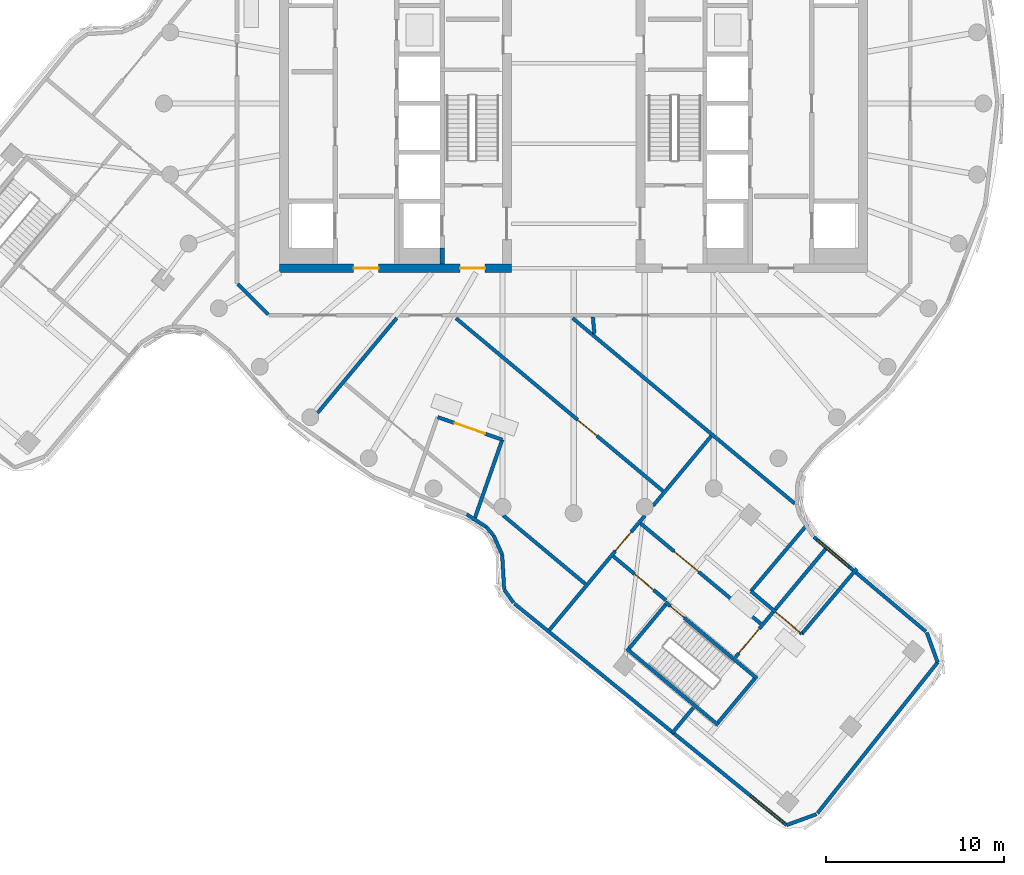
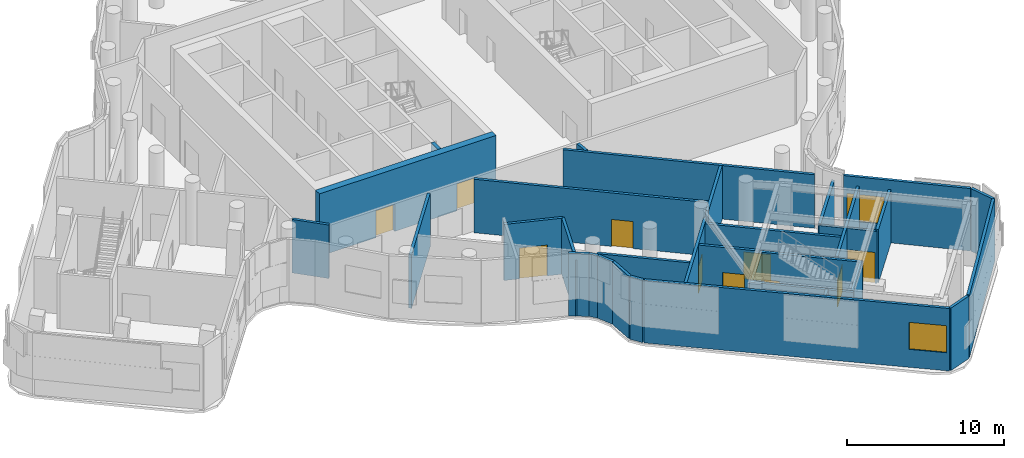
# One storey, part 7 of 19: 33 walls, 10 doors, 2 windows, 12 openings.
"""IFC4 building model written with IfcOpenShell, lengths in metres."""

from ifc_helpers import new_model, si_unit, direction, frame, frame_2d, origin, place, context, subcontext, project, spatial, polyline, rectangle, outline, extrude, material, layer, layer_set, type_object, element, fill, save


model = new_model("IFC4")

# Units and contexts
model_context = context("Model", 3, precision=1e-05, world=origin(), true_north=direction((0.0, 1.0)))
body_context = subcontext(model_context, "Body", "Model", "MODEL_VIEW")
ifc_project = project(units=[si_unit("LENGTHUNIT", "METRE"), si_unit("AREAUNIT", "SQUARE_METRE"), si_unit("VOLUMEUNIT", "CUBIC_METRE"), si_unit("PLANEANGLEUNIT", "RADIAN"), si_unit("MASSUNIT", "GRAM", prefix="KILO")], contexts=[model_context])

# Site, building, storey
site_placement = place(None, origin())
site = spatial("IfcSite", under=ifc_project, at=site_placement, CompositionType="ELEMENT")
building_placement = place(site_placement, origin())
building = spatial("IfcBuilding", under=site, at=building_placement, Name="Tamarind Cross Interchange Tower", CompositionType="ELEMENT")
storey_placement = place(building_placement, frame((0.0, 0.0, 214.89990234375)))
storey = spatial("IfcBuildingStorey", under=building, at=storey_placement, Name="L54", CompositionType="ELEMENT", Elevation=214.89990234375)

# Wall, opening, door
ifc_material_1 = material(Name="Concrete C40", Category="concrete")
ifc_layer_1 = layer(ifc_material_1, 0.199951171875)
ifc_layer_set_1 = layer_set([ifc_layer_1], Name="Concrete C40")
wall_type_1 = type_object("IfcWallType", Name="Balcony and garden door wall", PredefinedType="SOLIDWALL", material=ifc_layer_set_1)
wall_1_placement = place(storey_placement, frame((12.80322265625, -29.782470703125, 0.0), z_axis=(0.0, 0.0, 1.0), x_axis=(-0.764169256324, 0.645015773209, 0.0)))
wall_1 = element("IfcWall", 1, at=wall_1_placement, inside=storey, type_object=wall_type_1, Name="EXW-L54-WG-L54-SNa", PredefinedType="SOLIDWALL", context=body_context, shape_type="SweptSolid", body=[
    extrude(rectangle(XDim=3.722900390625, YDim=0.199951171875, at=frame_2d((1.861328125, 0.0))), origin(), (0.0, 0.0, 1.0), 4.050048828125),
])
opening_1_placement = place(wall_1_placement, frame((0.114990234375, 0.0, 0.0)))
opening_1 = element("IfcOpeningElement", 2, at=opening_1_placement, cuts=wall_1, Name="Opening D5", PredefinedType="OPENING", context=body_context, shape_type="SweptSolid", body=[
    extrude(rectangle(XDim=1.800048828125, YDim=2.39990234375, at=frame_2d((0.89990234375, 1.199951171875))), frame((0.0, 0.10986328125, 0.0), z_axis=(0.0, -1.0, 0.0), x_axis=(1.0, 0.0, 0.0)), (0.0, 0.0, 1.0), 0.219970703125),
])
ifc_material_2 = material(Name="Aluminium and toughened glass", Category="aluminium")
door_type_1 = type_object("IfcDoorType", Name="Roof garden door", OperationType="DOUBLE_DOOR_SINGLE_SWING", PredefinedType="DOOR", material=ifc_material_2)
door_1_placement = place(opening_1_placement, origin())
door_1 = element("IfcDoor", 3, at=door_1_placement, inside=storey, type_object=door_type_1, Name="DOR-L54-WG-L54-SNa", OperationType="SINGLE_SWING_LEFT", OverallHeight=2.39990234375, OverallWidth=1.800048828125, PredefinedType="DOOR", context=body_context, shape_type="SweptSolid", body=[
    extrude(rectangle(XDim=1.800048828125, YDim=2.39990234375, at=frame_2d((0.89990234375, 1.199951171875))), frame((0.0, 0.02490234375, 0.0), z_axis=(0.0, -1.0, 0.0), x_axis=(1.0, 0.0, 0.0)), (0.0, 0.0, 1.0), 0.050048828125),
])
fill(opening_1, door_1)

# Walls
wall_2_placement = place(storey_placement, frame((12.80322265625, -29.7822265625, 0.0), z_axis=(0.0, 0.0, 1.0), x_axis=(0.645004631952, 0.764178660236, 0.0)))
element("IfcWall", 4, at=wall_2_placement, inside=storey, type_object=wall_type_1, Name="EXW-L54-WG-L54-SNa-R0", PredefinedType="SOLIDWALL", context=body_context, shape_type="SweptSolid", body=[
    extrude(rectangle(XDim=4.7998046875, YDim=0.199951171875, at=frame_2d((2.39990234375, 0.0))), origin(), (0.0, 0.0, 1.0), 4.150146484375),
])
wall_3_placement = place(storey_placement, frame((9.95849609375, -27.38134765625, 0.0), z_axis=(0.0, 0.0, 1.0), x_axis=(0.644947890553, 0.76422654918, 0.0)))
element("IfcWall", 5, at=wall_3_placement, inside=storey, type_object=wall_type_1, Name="EXW-L54-WG-L54-SNa-R1", PredefinedType="SOLIDWALL", context=body_context, shape_type="SweptSolid", body=[
    extrude(rectangle(XDim=4.922607421875, YDim=0.199951171875, at=frame_2d((2.46142578125, 0.0))), origin(), (0.0, 0.0, 1.0), 4.150146484375),
])

# Wall, opening, door
wall_4_placement = place(storey_placement, frame((-7.633544921875, -17.6083984375, 0.0), z_axis=(0.0, 0.0, 1.0), x_axis=(0.943849439762, -0.330375899638, 0.0)))
wall_4 = element("IfcWall", 6, at=wall_4_placement, inside=storey, type_object=wall_type_1, Name="EXW-L54-WG-L54-WS", PredefinedType="SOLIDWALL", context=body_context, shape_type="SweptSolid", body=[
    extrude(rectangle(XDim=3.842041015625, YDim=0.199951171875, at=frame_2d((1.9208984375, 0.0))), origin(), (0.0, 0.0, 1.0), 4.364013671875),
])
opening_2_placement = place(wall_4_placement, frame((1.02099609375, 0.0, 0.0)))
opening_2 = element("IfcOpeningElement", 7, at=opening_2_placement, cuts=wall_4, Name="Opening D5", PredefinedType="OPENING", context=body_context, shape_type="SweptSolid", body=[
    extrude(rectangle(XDim=1.800048828125, YDim=2.39990234375, at=frame_2d((0.89990234375, 1.199951171875))), frame((0.0, 0.10986328125, 0.0), z_axis=(0.0, -1.0, 0.0), x_axis=(1.0, 0.0, 0.0)), (0.0, 0.0, 1.0), 0.219970703125),
])
door_2_placement = place(opening_2_placement, origin())
door_2 = element("IfcDoor", 8, at=door_2_placement, inside=storey, type_object=door_type_1, Name="DOR-L54-WG-L54-WS", OperationType="SINGLE_SWING_LEFT", OverallHeight=2.39990234375, OverallWidth=1.800048828125, PredefinedType="DOOR", context=body_context, shape_type="SweptSolid", body=[
    extrude(rectangle(XDim=1.800048828125, YDim=2.39990234375, at=frame_2d((0.89990234375, 1.199951171875))), frame((0.0, 0.02490234375, 0.0), z_axis=(0.0, -1.0, 0.0), x_axis=(1.0, 0.0, 0.0)), (0.0, 0.0, 1.0), 0.050048828125),
])
fill(opening_2, door_2)

# Wall
wall_5_placement = place(storey_placement, frame((-4.00732421875, -18.877685546875, 0.0), z_axis=(0.0, 0.0, 1.0), x_axis=(-0.330357165554, -0.94385599705, 0.0)))
element("IfcWall", 9, at=wall_5_placement, inside=storey, type_object=wall_type_1, Name="EXW-L54-WG-L54-WS-R1", PredefinedType="SOLIDWALL", context=body_context, shape_type="SweptSolid", body=[
    extrude(rectangle(XDim=4.83984375, YDim=0.199951171875, at=frame_2d((2.419921875, 0.0))), origin(), (0.0, 0.0, 1.0), 4.364013671875),
])

# Wall, openings, doors
ifc_material_3 = material(Name="Concrete C55", Category="concrete")
ifc_layer_2 = layer(ifc_material_3, 0.5)
ifc_layer_set_2 = layer_set([ifc_layer_2], Name="Concrete C55")
wall_type_2 = type_object("IfcWallType", Name="Core wall 500 mm Concrete C55", PredefinedType="SHEAR", material=ifc_layer_set_2)
wall_6_placement = place(storey_placement, frame((-16.5, -9.25, 0.0), z_axis=(0.0, 0.0, 1.0), x_axis=(1.0, 0.0, 0.0)))
wall_6 = element("IfcWall", 10, at=wall_6_placement, inside=storey, type_object=wall_type_2, Name="Core wall CWL-L54-W-S", PredefinedType="SHEAR", context=body_context, shape_type="SweptSolid", body=[
    extrude(rectangle(XDim=13.0, YDim=0.5, at=frame_2d((6.5, 0.0))), origin(), (0.0, 0.0, 1.0), 4.860107421875),
])
opening_3_placement = place(wall_6_placement, frame((4.14990234375, 0.0, 0.0)))
opening_3 = element("IfcOpeningElement", 11, at=opening_3_placement, cuts=wall_6, Name="Opening DCW1", PredefinedType="OPENING", context=body_context, shape_type="SweptSolid", body=[
    extrude(rectangle(XDim=1.39990234375, YDim=2.10009765625, at=frame_2d((0.699951171875, 1.050048828125))), frame((0.0, 0.260009765625, 0.0), z_axis=(0.0, -1.0, 0.0), x_axis=(1.0, 0.0, 0.0)), (0.0, 0.0, 1.0), 0.52001953125),
])
opening_4_placement = place(wall_6_placement, frame((10.125, 0.0, 0.0)))
opening_4 = element("IfcOpeningElement", 12, at=opening_4_placement, cuts=wall_6, Name="Opening DCWF", PredefinedType="OPENING", context=body_context, shape_type="SweptSolid", body=[
    extrude(rectangle(XDim=1.39990234375, YDim=2.10009765625, at=frame_2d((0.699951171875, 1.050048828125))), frame((0.0, 0.260009765625, 0.0), z_axis=(0.0, -1.0, 0.0), x_axis=(1.0, 0.0, 0.0)), (0.0, 0.0, 1.0), 0.52001953125),
])
ifc_material_4 = material(Name="Steel, fire-resisting", Category="steel")
door_type_2 = type_object("IfcDoorType", Name="Core fire door 1400 x 2100 FD90", OperationType="SINGLE_SWING_LEFT", PredefinedType="DOOR", material=ifc_material_4)
door_3_placement = place(opening_3_placement, origin())
door_3 = element("IfcDoor", 13, at=door_3_placement, inside=storey, type_object=door_type_2, Name="L54 lift lobby door", OperationType="SINGLE_SWING_LEFT", OverallHeight=2.10009765625, OverallWidth=1.39990234375, PredefinedType="DOOR", context=body_context, shape_type="SweptSolid", body=[
    extrude(rectangle(XDim=1.39990234375, YDim=2.10009765625, at=frame_2d((0.699951171875, 1.050048828125))), frame((0.0, 0.02490234375, 0.0), z_axis=(0.0, -1.0, 0.0), x_axis=(1.0, 0.0, 0.0)), (0.0, 0.0, 1.0), 0.050048828125),
])
fill(opening_3, door_3)
door_4_placement = place(opening_4_placement, origin())
door_4 = element("IfcDoor", 14, at=door_4_placement, inside=storey, type_object=door_type_2, Name="L54 firefighting lobby end door", OperationType="SINGLE_SWING_LEFT", OverallHeight=2.10009765625, OverallWidth=1.39990234375, PredefinedType="DOOR", context=body_context, shape_type="SweptSolid", body=[
    extrude(rectangle(XDim=1.39990234375, YDim=2.10009765625, at=frame_2d((0.699951171875, 1.050048828125))), frame((0.0, 0.02490234375, 0.0), z_axis=(0.0, -1.0, 0.0), x_axis=(1.0, 0.0, 0.0)), (0.0, 0.0, 1.0), 0.050048828125),
])
fill(opening_4, door_4)

# Walls
ifc_layer_3 = layer(ifc_material_3, 0.25)
ifc_layer_set_3 = layer_set([ifc_layer_3], Name="Concrete C55")
wall_type_3 = type_object("IfcWallType", Name="Core web wall 250 mm Concrete C55", PredefinedType="SHEAR", material=ifc_layer_set_3)
wall_7_placement = place(storey_placement, frame((-7.375, -9.0, 0.0), z_axis=(0.0, 0.0, 1.0), x_axis=(0.0, 1.0, 0.0)))
element("IfcWall", 15, at=wall_7_placement, inside=storey, type_object=wall_type_3, Name="Core wall CWL-L54-W-BW", PredefinedType="SHEAR", context=body_context, shape_type="SweptSolid", body=[
    extrude(rectangle(XDim=0.875, YDim=0.25, at=frame_2d((0.4375, 0.0))), origin(), (0.0, 0.0, 1.0), 4.860107421875),
])
ifc_material_5 = material(Name="Gypsum board partition on steel studs", Category="steel")
ifc_layer_4 = layer(ifc_material_5, 0.199951171875)
ifc_layer_set_4 = layer_set([ifc_layer_4], Name="Gypsum board partition on steel studs")
wall_type_4 = type_object("IfcWallType", Name="Partition 200 mm EI 180", PredefinedType="PARTITIONING", material=ifc_layer_set_4)
wall_8_placement = place(storey_placement, frame((1.0810546875, -11.989501953125, 0.0), z_axis=(0.0, 0.0, 1.0), x_axis=(0.089106826203, -0.996022074818, 0.0)))
element("IfcWall", 16, at=wall_8_placement, inside=storey, type_object=wall_type_4, Name="Partition L54-001", PredefinedType="PARTITIONING", context=body_context, shape_type="SweptSolid", body=[
    extrude(rectangle(XDim=0.939697265625, YDim=0.199951171875, at=frame_2d((0.4697265625, 0.0))), origin(), (0.0, 0.0, 1.0), 4.16015625),
])
wall_9_placement = place(storey_placement, frame((-18.857666015625, -10.142333984375, 0.0), z_axis=(0.0, 0.0, 1.0), x_axis=(0.707106781187, -0.707106781187, 0.0)))
element("IfcWall", 17, at=wall_9_placement, inside=storey, type_object=wall_type_4, Name="Partition L54-002", PredefinedType="PARTITIONING", context=body_context, shape_type="SweptSolid", body=[
    extrude(rectangle(XDim=2.42578125, YDim=0.199951171875, at=frame_2d((1.212890625, 0.0))), origin(), (0.0, 0.0, 1.0), 4.16015625),
])
wall_10_placement = place(storey_placement, frame((-3.956787109375, -23.125732421875, 0.0), z_axis=(0.0, 0.0, 1.0), x_axis=(0.76774384471, -0.640756887524, 0.0)))
element("IfcWall", 18, at=wall_10_placement, inside=storey, type_object=wall_type_4, Name="Partition L54-010", PredefinedType="PARTITIONING", context=body_context, shape_type="SweptSolid", body=[
    extrude(rectangle(XDim=5.99658203125, YDim=0.199951171875, at=frame_2d((2.998291015625, 0.0))), origin(), (0.0, 0.0, 1.0), 4.16015625),
])

# Wall, opening, door
wall_11_placement = place(storey_placement, frame((-6.60693359375, -12.056884765625, 0.0), z_axis=(0.0, 0.0, 1.0), x_axis=(0.767718234812, -0.640787571615, 0.0)))
wall_11 = element("IfcWall", 19, at=wall_11_placement, inside=storey, type_object=wall_type_4, Name="Partition L54-015", PredefinedType="PARTITIONING", context=body_context, shape_type="SweptSolid", body=[
    extrude(rectangle(XDim=15.123779296875, YDim=0.199951171875, at=frame_2d((7.56201171875, 0.0))), origin(), (0.0, 0.0, 1.0), 4.16015625),
])
opening_5_placement = place(wall_11_placement, frame((8.905029296875, 0.0, 0.0)))
opening_5 = element("IfcOpeningElement", 20, at=opening_5_placement, cuts=wall_11, Name="Opening D08", PredefinedType="OPENING", context=body_context, shape_type="SweptSolid", body=[
    extrude(rectangle(XDim=1.39990234375, YDim=2.10009765625, at=frame_2d((0.699951171875, 1.050048828125))), frame((0.0, 0.10986328125, 0.0), z_axis=(0.0, -1.0, 0.0), x_axis=(1.0, 0.0, 0.0)), (0.0, 0.0, 1.0), 0.219970703125),
])
ifc_material_6 = material(Name="Fire-resisting door set")
door_type_3 = type_object("IfcDoorType", Name="Interior door 1400 x 2100 FD120S", OperationType="DOUBLE_DOOR_SINGLE_SWING", PredefinedType="DOOR", material=ifc_material_6)
door_5_placement = place(opening_5_placement, origin())
door_5 = element("IfcDoor", 21, at=door_5_placement, inside=storey, type_object=door_type_3, Name="Door D08", OperationType="DOUBLE_DOOR_SINGLE_SWING", OverallHeight=2.10009765625, OverallWidth=1.39990234375, PredefinedType="DOOR", context=body_context, shape_type="SweptSolid", body=[
    extrude(rectangle(XDim=1.39990234375, YDim=2.10009765625, at=frame_2d((0.699951171875, 1.050048828125))), frame((0.0, 0.02490234375, 0.0), z_axis=(0.0, -1.0, 0.0), x_axis=(1.0, 0.0, 0.0)), (0.0, 0.0, 1.0), 0.050048828125),
])
fill(opening_5, door_5)

# Wall
wall_12_placement = place(storey_placement, frame((-0.052001953125, -12.056884765625, 0.0), z_axis=(0.0, 0.0, 1.0), x_axis=(0.767705248062, -0.64080313053, 0.0)))
element("IfcWall", 22, at=wall_12_placement, inside=storey, type_object=wall_type_4, Name="Partition L54-020", PredefinedType="PARTITIONING", context=body_context, shape_type="SweptSolid", body=[
    extrude(rectangle(XDim=16.256591796875, YDim=0.199951171875, at=frame_2d((8.12841796875, 0.0))), origin(), (0.0, 0.0, 1.0), 4.16015625),
])

# Wall, opening, door
wall_13_placement = place(storey_placement, frame((2.224853515625, -25.420166015625, 0.0), z_axis=(0.0, 0.0, 1.0), x_axis=(0.767749314301, -0.640750333898, 0.0)))
wall_13 = element("IfcWall", 23, at=wall_13_placement, inside=storey, type_object=wall_type_4, Name="Partition L54-021", PredefinedType="PARTITIONING", context=body_context, shape_type="SweptSolid", body=[
    extrude(rectangle(XDim=3.860107421875, YDim=0.199951171875, at=frame_2d((1.93017578125, 0.0))), origin(), (0.0, 0.0, 1.0), 4.050048828125),
])
opening_6_placement = place(wall_13_placement, frame((1.550048828125, 0.0, 0.0)))
opening_6 = element("IfcOpeningElement", 24, at=opening_6_placement, cuts=wall_13, Name="Opening D13", PredefinedType="OPENING", context=body_context, shape_type="SweptSolid", body=[
    extrude(rectangle(XDim=1.39990234375, YDim=2.10009765625, at=frame_2d((0.699951171875, 1.050048828125))), frame((0.0, 0.10986328125, 0.0), z_axis=(0.0, -1.0, 0.0), x_axis=(1.0, 0.0, 0.0)), (0.0, 0.0, 1.0), 0.219970703125),
])
door_6_placement = place(opening_6_placement, frame((1.39990234375, 0.0, 0.0), z_axis=(0.0, 0.0, 1.0), x_axis=(-1.0, 0.0, 0.0)))
door_6 = element("IfcDoor", 25, at=door_6_placement, inside=storey, type_object=door_type_3, Name="Door D13", OperationType="DOUBLE_DOOR_SINGLE_SWING", OverallHeight=2.10009765625, OverallWidth=1.39990234375, PredefinedType="DOOR", context=body_context, shape_type="SweptSolid", body=[
    extrude(rectangle(XDim=1.39990234375, YDim=2.10009765625, at=frame_2d((0.699951171875, 1.050048828125))), frame((0.0, 0.02490234375, 0.0), z_axis=(0.0, -1.0, 0.0), x_axis=(1.0, 0.0, 0.0)), (0.0, 0.0, 1.0), 0.050048828125),
])
fill(opening_6, door_6)

wall_14_placement = place(storey_placement, frame((3.7626953125, -23.578125, 0.0), z_axis=(0.0, 0.0, 1.0), x_axis=(0.767756138221, -0.640742157365, 0.0)))
wall_14 = element("IfcWall", 26, at=wall_14_placement, inside=storey, type_object=wall_type_4, Name="Partition L54-022", PredefinedType="PARTITIONING", context=body_context, shape_type="SweptSolid", body=[
    extrude(rectangle(XDim=8.780517578125, YDim=0.199951171875, at=frame_2d((4.39013671875, 0.0))), origin(), (0.0, 0.0, 1.0), 4.050048828125),
])
opening_7_placement = place(wall_14_placement, frame((2.449951171875, 0.0, 0.0)))
opening_7 = element("IfcOpeningElement", 27, at=opening_7_placement, cuts=wall_14, Name="Opening D14", PredefinedType="OPENING", context=body_context, shape_type="SweptSolid", body=[
    extrude(rectangle(XDim=1.800048828125, YDim=2.10009765625, at=frame_2d((0.89990234375, 1.050048828125))), frame((0.0, 0.10986328125, 0.0), z_axis=(0.0, -1.0, 0.0), x_axis=(1.0, 0.0, 0.0)), (0.0, 0.0, 1.0), 0.219970703125),
])
door_type_4 = type_object("IfcDoorType", Name="Interior door 1800 x 2100 FD120S", OperationType="DOUBLE_DOOR_SINGLE_SWING", PredefinedType="DOOR", material=ifc_material_6)
door_7_placement = place(opening_7_placement, origin())
door_7 = element("IfcDoor", 28, at=door_7_placement, inside=storey, type_object=door_type_4, Name="Door D14", OperationType="DOUBLE_DOOR_SINGLE_SWING", OverallHeight=2.10009765625, OverallWidth=1.800048828125, PredefinedType="DOOR", context=body_context, shape_type="SweptSolid", body=[
    extrude(rectangle(XDim=1.800048828125, YDim=2.10009765625, at=frame_2d((0.89990234375, 1.050048828125))), frame((0.0, 0.02490234375, 0.0), z_axis=(0.0, -1.0, 0.0), x_axis=(1.0, 0.0, 0.0)), (0.0, 0.0, 1.0), 0.050048828125),
])
fill(opening_7, door_7)

# Wall
wall_15_placement = place(storey_placement, frame((-14.370849609375, -17.369873046875, 0.0), z_axis=(0.0, 0.0, 1.0), x_axis=(0.640582551282, 0.76788931168, 0.0)))
element("IfcWall", 29, at=wall_15_placement, inside=storey, type_object=wall_type_4, Name="Partition L54-034", PredefinedType="PARTITIONING", context=body_context, shape_type="SweptSolid", body=[
    extrude(rectangle(XDim=6.9345703125, YDim=0.199951171875, at=frame_2d((3.46728515625, 0.0))), origin(), (0.0, 0.0, 1.0), 4.16015625),
])

# Wall, opening, door
wall_16_placement = place(storey_placement, frame((-1.375244140625, -29.577880859375, 0.0), z_axis=(0.0, 0.0, 1.0), x_axis=(0.6407249457, 0.767770502141, 0.0)))
wall_16 = element("IfcWall", 30, at=wall_16_placement, inside=storey, type_object=wall_type_4, Name="Partition L54-042", PredefinedType="PARTITIONING", context=body_context, shape_type="SweptSolid", body=[
    extrude(rectangle(XDim=8.393798828125, YDim=0.199951171875, at=frame_2d((4.19677734375, 0.0))), origin(), (0.0, 0.0, 1.0), 4.150146484375),
])
opening_8_placement = place(wall_16_placement, frame((5.798828125, 0.0, 0.0)))
opening_8 = element("IfcOpeningElement", 31, at=opening_8_placement, cuts=wall_16, Name="Opening D25", PredefinedType="OPENING", context=body_context, shape_type="SweptSolid", body=[
    extrude(rectangle(XDim=1.39990234375, YDim=2.10009765625, at=frame_2d((0.699951171875, 1.050048828125))), frame((0.0, 0.10986328125, 0.0), z_axis=(0.0, -1.0, 0.0), x_axis=(1.0, 0.0, 0.0)), (0.0, 0.0, 1.0), 0.219970703125),
])
door_8_placement = place(opening_8_placement, origin())
door_8 = element("IfcDoor", 32, at=door_8_placement, inside=storey, type_object=door_type_3, Name="Door D25", OperationType="DOUBLE_DOOR_SINGLE_SWING", OverallHeight=2.10009765625, OverallWidth=1.39990234375, PredefinedType="DOOR", context=body_context, shape_type="SweptSolid", body=[
    extrude(rectangle(XDim=1.39990234375, YDim=2.10009765625, at=frame_2d((0.699951171875, 1.050048828125))), frame((0.0, 0.02490234375, 0.0), z_axis=(0.0, -1.0, 0.0), x_axis=(1.0, 0.0, 0.0)), (0.0, 0.0, 1.0), 0.050048828125),
])
fill(opening_8, door_8)

# Walls
wall_17_placement = place(storey_placement, frame((4.461181640625, -22.583984375, 0.0), z_axis=(0.0, 0.0, 1.0), x_axis=(0.640712685958, 0.767780733057, 0.0)))
element("IfcWall", 33, at=wall_17_placement, inside=storey, type_object=wall_type_4, Name="Partition L54-043", PredefinedType="PARTITIONING", context=body_context, shape_type="SweptSolid", body=[
    extrude(rectangle(XDim=5.089599609375, YDim=0.199951171875, at=frame_2d((2.544921875, 0.0))), origin(), (0.0, 0.0, 1.0), 4.16015625),
])
wall_18_placement = place(storey_placement, frame((5.53466796875, -35.34521484375, 0.0), z_axis=(0.0, 0.0, 1.0), x_axis=(0.640455669919, 0.767995139873, 0.0)))
element("IfcWall", 34, at=wall_18_placement, inside=storey, type_object=wall_type_4, Name="Partition L54-044", PredefinedType="PARTITIONING", context=body_context, shape_type="SweptSolid", body=[
    extrude(rectangle(XDim=1.858642578125, YDim=0.199951171875, at=frame_2d((0.92919921875, 0.0))), origin(), (0.0, 0.0, 1.0), 4.150146484375),
])

# Wall, opening, door
wall_19_placement = place(storey_placement, frame((9.08203125, -31.091064453125, 0.0), z_axis=(0.0, 0.0, 1.0), x_axis=(0.640415410125, 0.768028712012, 0.0)))
wall_19 = element("IfcWall", 35, at=wall_19_placement, inside=storey, type_object=wall_type_4, Name="Partition L54-045", PredefinedType="PARTITIONING", context=body_context, shape_type="SweptSolid", body=[
    extrude(rectangle(XDim=7.8994140625, YDim=0.199951171875, at=frame_2d((3.94970703125, 0.0))), origin(), (0.0, 0.0, 1.0), 4.150146484375),
])
opening_9_placement = place(wall_19_placement, frame((0.300048828125, 0.0, 0.0)))
opening_9 = element("IfcOpeningElement", 36, at=opening_9_placement, cuts=wall_19, Name="Opening D26", PredefinedType="OPENING", context=body_context, shape_type="SweptSolid", body=[
    extrude(rectangle(XDim=1.800048828125, YDim=2.10009765625, at=frame_2d((0.89990234375, 1.050048828125))), frame((0.0, 0.10986328125, 0.0), z_axis=(0.0, -1.0, 0.0), x_axis=(1.0, 0.0, 0.0)), (0.0, 0.0, 1.0), 0.219970703125),
])
door_9_placement = place(opening_9_placement, frame((1.800048828125, 0.0, 0.0), z_axis=(0.0, 0.0, 1.0), x_axis=(-1.0, 0.0, 0.0)))
door_9 = element("IfcDoor", 37, at=door_9_placement, inside=storey, type_object=door_type_4, Name="Door D26", OperationType="DOUBLE_DOOR_SINGLE_SWING", OverallHeight=2.10009765625, OverallWidth=1.800048828125, PredefinedType="DOOR", context=body_context, shape_type="SweptSolid", body=[
    extrude(rectangle(XDim=1.800048828125, YDim=2.10009765625, at=frame_2d((0.89990234375, 1.050048828125))), frame((0.0, 0.02490234375, 0.0), z_axis=(0.0, -1.0, 0.0), x_axis=(1.0, 0.0, 0.0)), (0.0, 0.0, 1.0), 0.050048828125),
])
fill(opening_9, door_9)

# Walls
ifc_material_7 = material(Name="Precast concrete C40", Category="concrete")
ifc_layer_5 = layer(ifc_material_7, 0.199951171875)
ifc_layer_set_5 = layer_set([ifc_layer_5], Name="Precast concrete C40")
wall_type_5 = type_object("IfcWallType", Name="Refuge level external wall", PredefinedType="SOLIDWALL", material=ifc_layer_set_5)
wall_20_placement = place(storey_placement, frame((-6.001220703125, -23.067138671875, 0.0), z_axis=(0.0, 0.0, 1.0), x_axis=(0.839116919662, -0.543951096274, 0.0)))
element("IfcWall", 38, at=wall_20_placement, inside=storey, type_object=wall_type_5, Name="RFW-L54-02-08", PredefinedType="SOLIDWALL", context=body_context, shape_type="SweptSolid", body=[
    extrude(rectangle(XDim=1.31591796875, YDim=0.199951171875, at=frame_2d((0.657958984375, 0.0))), origin(), (0.0, 0.0, 1.0), 4.860107421875),
])
wall_21_placement = place(storey_placement, frame((-4.89697265625, -23.782958984375, 0.0), z_axis=(0.0, 0.0, 1.0), x_axis=(0.651417628254, -0.758719364192, 0.0)))
element("IfcWall", 39, at=wall_21_placement, inside=storey, type_object=wall_type_5, Name="RFW-L54-02-09", PredefinedType="SOLIDWALL", context=body_context, shape_type="SweptSolid", body=[
    extrude(rectangle(XDim=0.60986328125, YDim=0.199951171875, at=frame_2d((0.304931640625, 0.0))), origin(), (0.0, 0.0, 1.0), 4.860107421875),
])
wall_22_placement = place(storey_placement, frame((-4.499755859375, -24.24560546875, 0.0), z_axis=(0.0, 0.0, 1.0), x_axis=(0.411322207494, -0.911490011806, 0.0)))
element("IfcWall", 40, at=wall_22_placement, inside=storey, type_object=wall_type_5, Name="RFW-L54-02-010", PredefinedType="SOLIDWALL", context=body_context, shape_type="SweptSolid", body=[
    extrude(rectangle(XDim=1.18701171875, YDim=0.199951171875, at=frame_2d((0.593505859375, 0.0))), origin(), (0.0, 0.0, 1.0), 4.860107421875),
])
wall_23_placement = place(storey_placement, frame((-4.011474609375, -25.32763671875, 0.0), z_axis=(0.0, 0.0, 1.0), x_axis=(0.057109766027, -0.998367905446, 0.0)))
element("IfcWall", 41, at=wall_23_placement, inside=storey, type_object=wall_type_5, Name="RFW-L54-02-011", PredefinedType="SOLIDWALL", context=body_context, shape_type="SweptSolid", body=[
    extrude(rectangle(XDim=1.970703125, YDim=0.199951171875, at=frame_2d((0.9853515625, 0.0))), origin(), (0.0, 0.0, 1.0), 4.860107421875),
])
wall_24_placement = place(storey_placement, frame((-3.89892578125, -27.295166015625, 0.0), z_axis=(0.0, 0.0, 1.0), x_axis=(0.580599391883, -0.814189379779, 0.0)))
element("IfcWall", 42, at=wall_24_placement, inside=storey, type_object=wall_type_5, Name="RFW-L54-02-012", PredefinedType="SOLIDWALL", context=body_context, shape_type="SweptSolid", body=[
    extrude(rectangle(XDim=0.904052734375, YDim=0.199951171875, at=frame_2d((0.4521484375, 0.0))), origin(), (0.0, 0.0, 1.0), 4.860107421875),
])

# Wall, opening, window
wall_25_placement = place(storey_placement, frame((-3.325927734375, -28.081298828125, 0.0), z_axis=(0.0, 0.0, 1.0), x_axis=(0.775707462679, -0.631092649572, 0.0)))
wall_25 = element("IfcWall", 43, at=wall_25_placement, inside=storey, type_object=wall_type_5, Name="RFW-L54-03-00", PredefinedType="SOLIDWALL", context=body_context, shape_type="SweptSolid", body=[
    extrude(rectangle(XDim=19.69970703125, YDim=0.199951171875, at=frame_2d((9.849853515625, 0.0))), origin(), (0.0, 0.0, 1.0), 4.860107421875),
])
opening_10_placement = place(wall_25_placement, frame((17.099853515625, 0.0, 1.39990234375)))
opening_10 = element("IfcOpeningElement", 44, at=opening_10_placement, cuts=wall_25, Name="Opening W3", PredefinedType="OPENING", context=body_context, shape_type="SweptSolid", body=[
    extrude(rectangle(XDim=2.39990234375, YDim=2.10009765625, at=frame_2d((1.199951171875, 1.050048828125))), frame((0.0, 0.10986328125, 0.0), z_axis=(0.0, -1.0, 0.0), x_axis=(1.0, 0.0, 0.0)), (0.0, 0.0, 1.0), 0.219970703125),
])
ifc_material_8 = material(Name="Aluminium and fire-resisting glass", Category="aluminium")
window_type = type_object("IfcWindowType", Name="Refuge rescue window", PartitioningType="DOUBLE_PANEL_VERTICAL", PredefinedType="WINDOW", material=ifc_material_8)
window_1_placement = place(opening_10_placement, origin())
window_1 = element("IfcWindow", 45, at=window_1_placement, inside=storey, type_object=window_type, Name="RSW-L54-03-04", OverallHeight=2.10009765625, OverallWidth=2.39990234375, PartitioningType="SINGLE_PANEL", PredefinedType="WINDOW", context=body_context, shape_type="SweptSolid", body=[
    extrude(rectangle(XDim=2.39990234375, YDim=2.10009765625, at=frame_2d((1.199951171875, 1.050048828125))), frame((0.0, 0.030029296875, 0.0), z_axis=(0.0, -1.0, 0.0), x_axis=(1.0, 0.0, 0.0)), (0.0, 0.0, 1.0), 0.06005859375),
])
fill(opening_10, window_1)

# Walls
wall_26_placement = place(storey_placement, frame((11.955322265625, -40.513671875, 0.0), z_axis=(0.0, 0.0, 1.0), x_axis=(0.939424603146, 0.342755619945, 0.0)))
element("IfcWall", 46, at=wall_26_placement, inside=storey, type_object=wall_type_5, Name="RFW-L54-03-01", PredefinedType="SOLIDWALL", context=body_context, shape_type="SweptSolid", body=[
    extrude(rectangle(XDim=1.78076171875, YDim=0.199951171875, at=frame_2d((0.890380859375, 0.0))), origin(), (0.0, 0.0, 1.0), 4.860107421875),
])
wall_27_placement = place(storey_placement, frame((13.6865234375, -39.849609375, 0.0), z_axis=(0.0, 0.0, 1.0), x_axis=(0.623074903355, 0.78216217296, 0.0)))
element("IfcWall", 47, at=wall_27_placement, inside=storey, type_object=wall_type_5, Name="RFW-L54-04-00", PredefinedType="SOLIDWALL", context=body_context, shape_type="SweptSolid", body=[
    extrude(rectangle(XDim=10.8330078125, YDim=0.199951171875, at=frame_2d((5.41650390625, 0.0))), origin(), (0.0, 0.0, 1.0), 4.860107421875),
])
wall_28_placement = place(storey_placement, frame((20.436279296875, -31.37646484375, 0.0), z_axis=(0.0, 0.0, 1.0), x_axis=(-0.342832454601, 0.939396565925, 0.0)))
element("IfcWall", 48, at=wall_28_placement, inside=storey, type_object=wall_type_5, Name="RFW-L54-04-01", PredefinedType="SOLIDWALL", context=body_context, shape_type="SweptSolid", body=[
    extrude(rectangle(XDim=1.781005859375, YDim=0.199951171875, at=frame_2d((0.890625, 0.0))), origin(), (0.0, 0.0, 1.0), 4.860107421875),
])

# Wall, opening, window
wall_29_placement = place(storey_placement, frame((19.772216796875, -29.644775390625, 0.0), z_axis=(0.0, 0.0, 1.0), x_axis=(-0.764192749459, 0.64498793917, 0.0)))
wall_29 = element("IfcWall", 49, at=wall_29_placement, inside=storey, type_object=wall_type_5, Name="RFW-L54-05-00", PredefinedType="SOLIDWALL", context=body_context, shape_type="SweptSolid", body=[
    extrude(rectangle(XDim=8.22705078125, YDim=0.199951171875, at=frame_2d((4.113525390625, 0.0))), origin(), (0.0, 0.0, 1.0), 4.860107421875),
])
opening_11_placement = place(wall_29_placement, frame((5.60009765625, 0.0, 1.39990234375)))
opening_11 = element("IfcOpeningElement", 50, at=opening_11_placement, cuts=wall_29, Name="Opening W3", PredefinedType="OPENING", context=body_context, shape_type="SweptSolid", body=[
    extrude(rectangle(XDim=2.39990234375, YDim=2.10009765625, at=frame_2d((1.199951171875, 1.050048828125))), frame((0.0, 0.10986328125, 0.0), z_axis=(0.0, -1.0, 0.0), x_axis=(1.0, 0.0, 0.0)), (0.0, 0.0, 1.0), 0.219970703125),
])
window_2_placement = place(opening_11_placement, origin())
window_2 = element("IfcWindow", 51, at=window_2_placement, inside=storey, type_object=window_type, Name="RSW-L54-05-04", OverallHeight=2.10009765625, OverallWidth=2.39990234375, PartitioningType="SINGLE_PANEL", PredefinedType="WINDOW", context=body_context, shape_type="SweptSolid", body=[
    extrude(rectangle(XDim=2.39990234375, YDim=2.10009765625, at=frame_2d((1.199951171875, 1.050048828125))), frame((0.0, 0.030029296875, 0.0), z_axis=(0.0, -1.0, 0.0), x_axis=(1.0, 0.0, 0.0)), (0.0, 0.0, 1.0), 0.06005859375),
])
fill(opening_11, window_2)

# Wall, opening, door
ifc_layer_6 = layer(ifc_material_1, 0.199951171875)
ifc_layer_set_6 = layer_set([ifc_layer_6], Name="Concrete C40")
wall_type_6 = type_object("IfcWallType", Name="Stair shaft wall 200 mm Concrete C40", PredefinedType="SHEAR", material=ifc_layer_set_6)
wall_30_placement = place(storey_placement, frame((5.1552734375, -27.99609375, -0.179931640625), z_axis=(0.0, 0.0, 1.0), x_axis=(0.767728232678, -0.640775593129, 0.0)))
wall_30 = element("IfcWall", 52, at=wall_30_placement, inside=storey, type_object=wall_type_6, Name="Core wall CWL-L54-ST6-H", PredefinedType="SHEAR", context=body_context, shape_type="SweptSolid", body=[
    extrude(rectangle(XDim=6.699951171875, YDim=0.199951171875, at=frame_2d((3.35009765625, 0.0))), origin(), (0.0, 0.0, 1.0), 4.22998046875),
])
opening_12_placement = place(wall_30_placement, frame((0.35009765625, 0.0, 0.0)))
opening_12 = element("IfcOpeningElement", 53, at=opening_12_placement, cuts=wall_30, Name="Opening ST6L54", PredefinedType="OPENING", context=body_context, shape_type="SweptSolid", body=[
    extrude(rectangle(XDim=1.0, YDim=2.10009765625, at=frame_2d((0.5, 1.050048828125))), frame((0.0, 0.10986328125, 0.0), z_axis=(0.0, -1.0, 0.0), x_axis=(1.0, 0.0, 0.0)), (0.0, 0.0, 1.0), 0.219970703125),
])
door_type_5 = type_object("IfcDoorType", Name="Core fire door 1000 x 2100 FD90", OperationType="SINGLE_SWING_LEFT", PredefinedType="DOOR", material=ifc_material_4)
door_10_placement = place(opening_12_placement, origin())
door_10 = element("IfcDoor", 54, at=door_10_placement, inside=storey, type_object=door_type_5, Name="L54 stair door ST6", OperationType="SINGLE_SWING_LEFT", OverallHeight=2.10009765625, OverallWidth=1.0, PredefinedType="DOOR", context=body_context, shape_type="SweptSolid", body=[
    extrude(rectangle(XDim=1.0, YDim=2.10009765625, at=frame_2d((0.5, 1.050048828125))), frame((0.0, 0.02490234375, 0.0), z_axis=(0.0, -1.0, 0.0), x_axis=(1.0, 0.0, 0.0)), (0.0, 0.0, 1.0), 0.050048828125),
])
fill(opening_12, door_10)

# Walls
wall_31_placement = place(storey_placement, frame((2.9765625, -30.6064453125, -0.179931640625), z_axis=(0.0, 0.0, 1.0), x_axis=(0.767728232678, -0.640775593129, 0.0)))
element("IfcWall", 55, at=wall_31_placement, inside=storey, type_object=wall_type_6, Name="Core wall CWL-L54-ST6-C", PredefinedType="SHEAR", context=body_context, shape_type="SweptSolid", body=[
    extrude(rectangle(XDim=6.699951171875, YDim=0.199951171875, at=frame_2d((3.35009765625, 0.0))), origin(), (0.0, 0.0, 1.0), 4.22998046875),
])
wall_32_placement = place(storey_placement, frame((3.117431640625, -30.59375, -0.179931640625), z_axis=(0.0, 0.0, 1.0), x_axis=(0.640777035898, 0.767727028485, 0.0)))
element("IfcWall", 56, at=wall_32_placement, inside=storey, type_object=wall_type_6, Name="Core wall CWL-L54-ST6-CE", PredefinedType="SHEAR", context=body_context, shape_type="SweptSolid", body=[
    extrude(rectangle(XDim=3.2001953125, YDim=0.199951171875, at=frame_2d((1.60009765625, 0.0))), origin(), (0.0, 0.0, 1.0), 4.22998046875),
])
wall_33_placement = place(storey_placement, frame((0.0, 0.0, -0.179931640625)))
element("IfcWall", 57, at=wall_33_placement, inside=storey, type_object=wall_type_6, Name="Core wall CWL-L54-ST6-CF", PredefinedType="SHEAR", context=body_context, shape_type="SweptSolid", body=[
    extrude(outline(polyline([(8.031005859375, -34.694580078125), (8.1845703125, -34.82275390625), (10.235107421875, -32.3662109375), (10.081298828125, -32.23779296875), (8.031005859375, -34.694580078125)])), origin(), (0.0, 0.0, 1.0), 4.22998046875),
])

save(model, "model.ifc")
